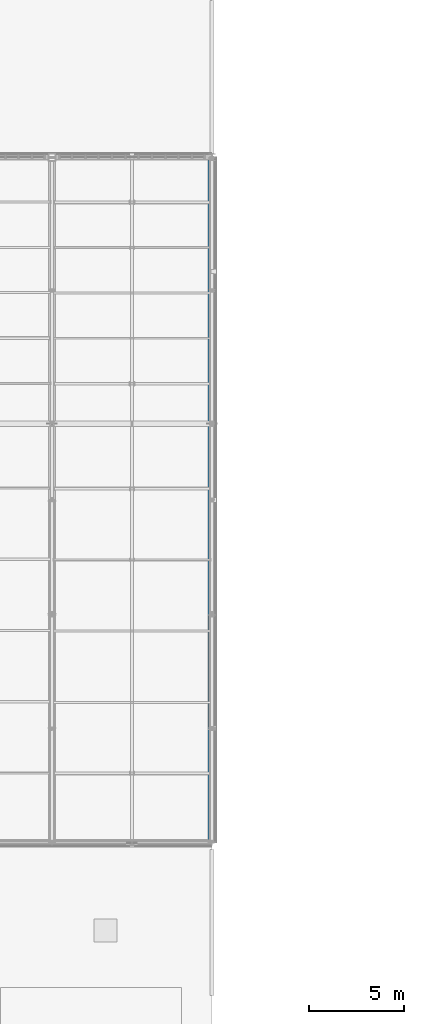
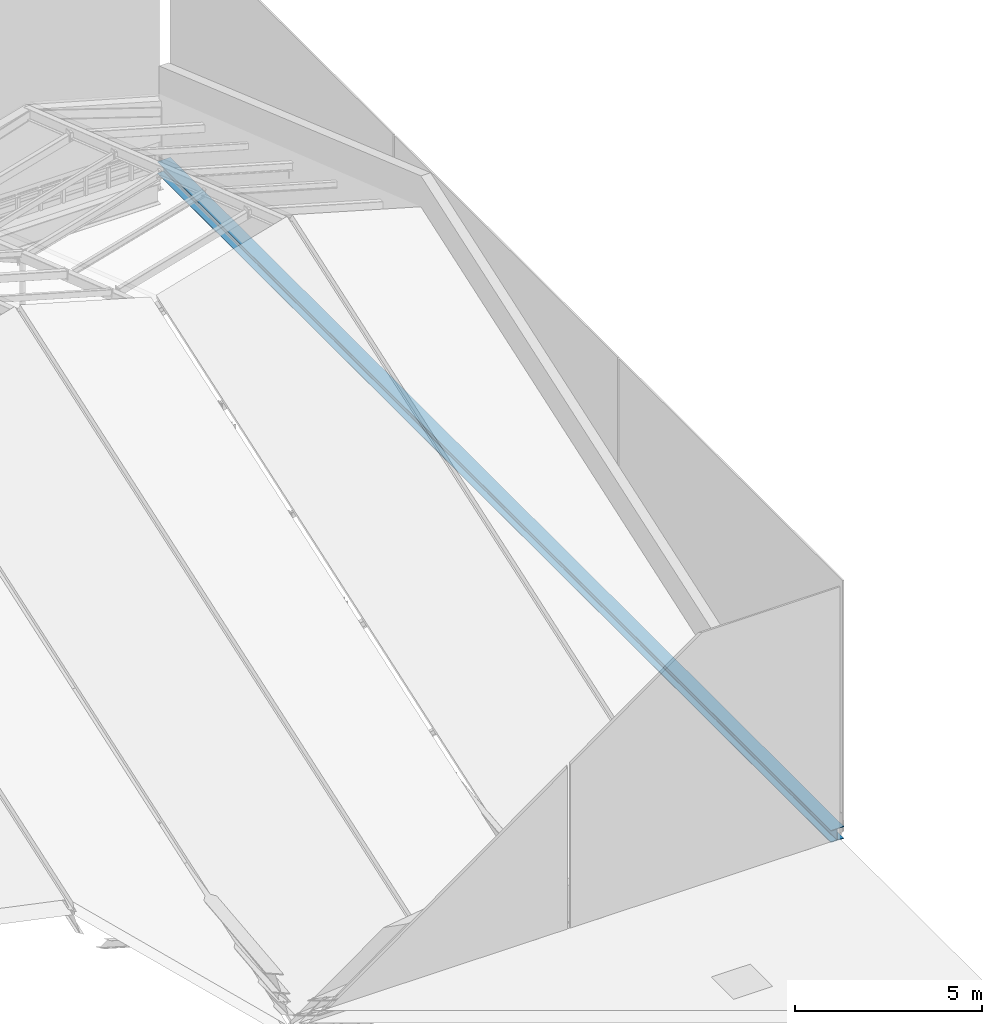
# One storey, part 32 of 77: 1 member.
"""IFC4 building model written with IfcOpenShell, lengths in metres."""

from ifc_helpers import new_model, si_unit, direction, frame, origin, origin_2d, place, context, subcontext, project, spatial, i_section, extrude, material, material_profile, profile_set, type_object, element, save


model = new_model("IFC4")

# Units and contexts
model_context = context("Model", 3, precision=1e-05, world=origin(), true_north=direction((0.0, 1.0)))
body_context = subcontext(model_context, "Body", "Model", "MODEL_VIEW")
ifc_project = project(units=[si_unit("LENGTHUNIT", "METRE"), si_unit("AREAUNIT", "SQUARE_METRE"), si_unit("VOLUMEUNIT", "CUBIC_METRE"), si_unit("PLANEANGLEUNIT", "RADIAN"), si_unit("MASSUNIT", "GRAM", prefix="KILO")], contexts=[model_context])

# Site, building, storey
site_placement = place(None, origin())
site = spatial("IfcSite", under=ifc_project, at=site_placement, CompositionType="ELEMENT")
building_placement = place(site_placement, origin())
building = spatial("IfcBuilding", under=site, at=building_placement, Name="Larkvane Passage Sports Hall", CompositionType="ELEMENT")
storey_placement = place(building_placement, frame((0.0, 0.0, 22.199951171875)))
storey = spatial("IfcBuildingStorey", under=building, at=storey_placement, Name="RF", CompositionType="ELEMENT", Elevation=22.199951171875)

# Member
ifc_material = material(Name="Steel S460N", Category="steel")
ifc_material_profile = material_profile(ifc_material, i_section(OverallWidth=0.39990234375, OverallDepth=0.39990234375, WebThickness=0.012939453125, FlangeThickness=0.02099609375, FilletRadius=0.02197265625, at=origin_2d()), Name="H-400x400x13x21")
ifc_profile_set = profile_set([ifc_material_profile], Name="Steel S460N")
member_type = type_object("IfcMemberType", Name="MBR-CH-H400", PredefinedType="CHORD", material=ifc_profile_set)
member_placement = place(storey_placement, frame((93.60009765625, 39.60009765625, 0.050048828125), z_axis=(0.0, 1.0, 0.0), x_axis=(-1.0, 0.0, 0.0)))
element("IfcMember", 1, at=member_placement, inside=storey, type_object=member_type, Name="Arena roof truss 8 bottom chord", PredefinedType="CHORD", context=body_context, shape_type="SweptSolid", body=[
    extrude(i_section(OverallWidth=0.39990234375, OverallDepth=0.39990234375, WebThickness=0.012939453125, FlangeThickness=0.02099609375, FilletRadius=0.02197265625, at=origin_2d()), origin(), (0.0, 0.0, 1.0), 36.0),
])

save(model, "model.ifc")
